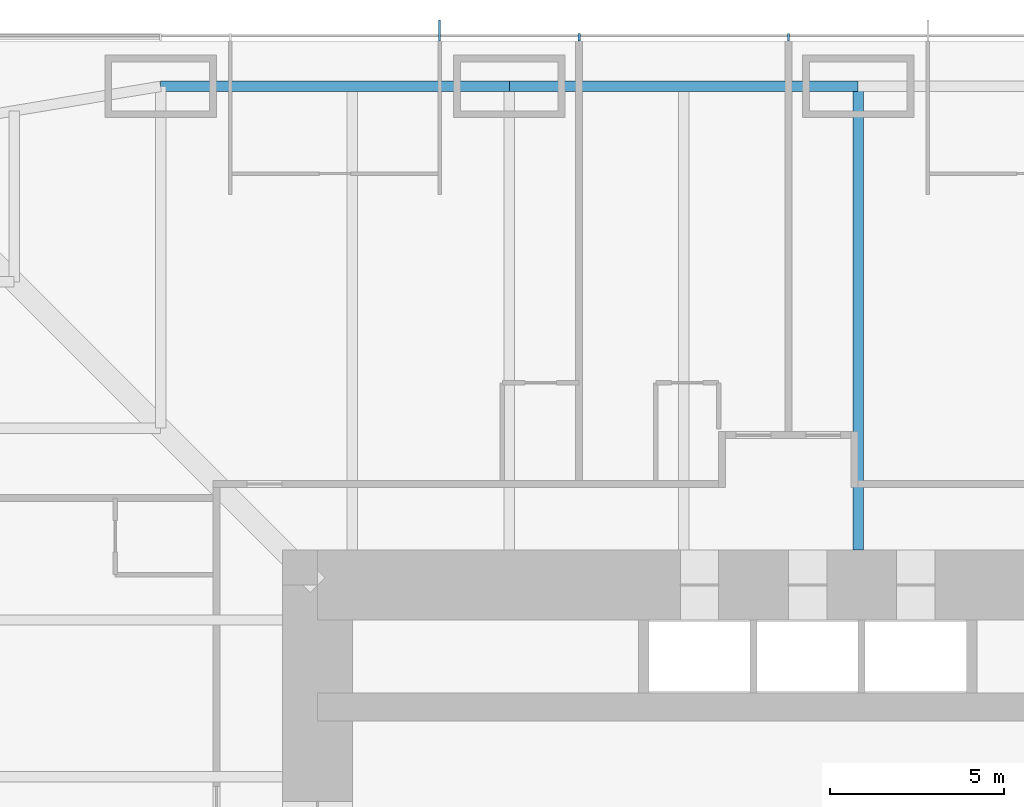
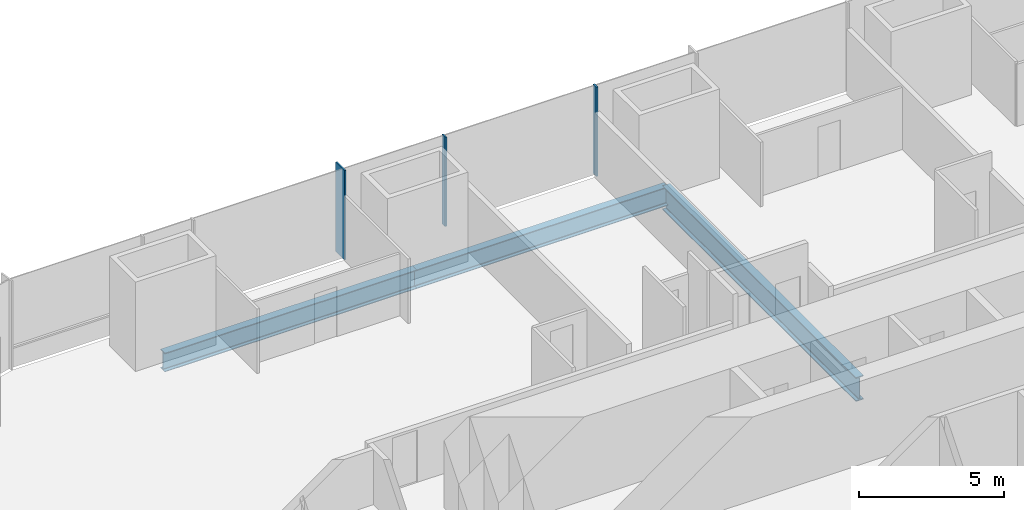
# One storey, part 7 of 16: 3 beams, 3 members, 1 element without a shape of its own.
"""IFC4 building model written with IfcOpenShell, lengths in metres."""

from ifc_helpers import new_model, si_unit, direction, frame, origin, origin_2d, place, context, subcontext, project, spatial, rectangle, i_section, extrude, material, material_profile, profile_set, type_object, element, aggregate, save


model = new_model("IFC4")

# Units and contexts
model_context = context("Model", 3, precision=1e-05, world=origin(), true_north=direction((0.0, 1.0)))
body_context = subcontext(model_context, "Body", "Model", "MODEL_VIEW")
ifc_project = project(units=[si_unit("LENGTHUNIT", "METRE"), si_unit("AREAUNIT", "SQUARE_METRE"), si_unit("VOLUMEUNIT", "CUBIC_METRE"), si_unit("PLANEANGLEUNIT", "RADIAN"), si_unit("MASSUNIT", "GRAM", prefix="KILO")], contexts=[model_context])

# Site, building, storey
site_placement = place(None, origin())
site = spatial("IfcSite", under=ifc_project, at=site_placement, CompositionType="ELEMENT")
building_placement = place(site_placement, origin())
building = spatial("IfcBuilding", under=site, at=building_placement, Name="Khuree Lantern Residences", CompositionType="ELEMENT")
storey_placement = place(building_placement, frame((0.0, 0.0, 69.75)))
storey = spatial("IfcBuildingStorey", under=building, at=storey_placement, Name="L17", CompositionType="ELEMENT", Elevation=69.75)

# Beams
ifc_material_1 = material(Name="Steel S355", Category="steel")
ifc_material_profile_1 = material_profile(ifc_material_1, i_section(OverallWidth=0.300048828125, OverallDepth=0.7900390625, WebThickness=0.014892578125, FlangeThickness=0.028076171875, FilletRadius=0.030029296875, at=origin_2d()), Name="HE 800 A")
ifc_profile_set_1 = profile_set([ifc_material_profile_1], Name="Steel S355")
beam_type_1 = type_object("IfcBeamType", Name="E-14 SPANDREL BEAM HE 800 A", PredefinedType="SPANDREL", material=ifc_profile_set_1)
for number, where, z_axis, x_axis, name in (
    (1, (-20.0, 29.800048828125, -0.64501953125), (1.0, 0.0, 0.0), (0.0, 1.0, 0.0), "Spandrel beam N1"),
    (2, (-10.0, 29.800048828125, -0.64501953125), (1.0, 0.0, 0.0), (0.0, 1.0, 0.0), "Spandrel beam N2"),
):
    element("IfcBeam", number, at=place(storey_placement, frame(where, z_axis=z_axis, x_axis=x_axis)), inside=storey, type_object=beam_type_1, Name=name, PredefinedType="SPANDREL", context=body_context, shape_type="SweptSolid", body=[
        extrude(i_section(OverallWidth=0.300048828125, OverallDepth=0.7900390625, WebThickness=0.014892578125, FlangeThickness=0.028076171875, FilletRadius=0.030029296875, at=origin_2d()), origin(), (0.0, 0.0, 1.0), 10.0),
    ])

# Curtain wall, member
ifc_material_2 = material(Name="Bronze anodised aluminium", Category="aluminium")
curtain_wall_type = type_object("IfcCurtainWallType", Name="CW-T1 TOWER FACE CURTAIN WALL", PredefinedType="USERDEFINED", material=ifc_material_2)
curtain_wall_placement = place(storey_placement, origin())
curtain_wall = element("IfcCurtainWall", 3, at=curtain_wall_placement, inside=storey, type_object=curtain_wall_type, Name="L17 NORTH FACE CURTAIN WALL", ObjectType="Stick-built curtain wall", PredefinedType="USERDEFINED")
ifc_material_profile_2 = material_profile(ifc_material_2, rectangle(XDim=0.06494140625, YDim=0.60009765625, at=origin_2d()), Name="F1 65X600")
ifc_profile_set_2 = profile_set([ifc_material_profile_2], Name="Bronze anodised aluminium")
member_type_1 = type_object("IfcMemberType", Name="F1 BRONZE FIN MULLION TOWER 65X600", PredefinedType="MULLION", material=ifc_profile_set_2)
member_1_placement = place(storey_placement, frame((-12.0, 31.39990234375, 0.0), z_axis=(0.0, 0.0, 1.0), x_axis=(-1.0, 0.0, 0.0)))
member_1 = element("IfcMember", 4, at=member_1_placement, type_object=member_type_1, Name="L17 NORTH FACE FIN MULLION 26", PredefinedType="MULLION", context=body_context, shape_type="SweptSolid", body=[
    extrude(rectangle(XDim=0.06494140625, YDim=0.60009765625, at=origin_2d()), origin(), (0.0, 0.0, 1.0), 3.75),
])

# Beam
ifc_material_profile_3 = material_profile(ifc_material_1, i_section(OverallWidth=0.302001953125, OverallDepth=1.008056640625, WebThickness=0.02099609375, FlangeThickness=0.0400390625, FilletRadius=0.030029296875, at=origin_2d()), Name="HE 1000 M")
ifc_profile_set_3 = profile_set([ifc_material_profile_3], Name="Steel S355")
beam_type_2 = type_object("IfcBeamType", Name="G-14 GIRDER HE 1000 M", PredefinedType="BEAM", material=ifc_profile_set_3)
beam_placement = place(storey_placement, frame((0.0, 29.800048828125, -0.75390625), z_axis=(0.0, -1.0, 0.0), x_axis=(1.0, 0.0, 0.0)))
element("IfcBeam", 5, at=beam_placement, inside=storey, type_object=beam_type_2, Name="Girder N3", PredefinedType="BEAM", context=body_context, shape_type="SweptSolid", body=[
    extrude(i_section(OverallWidth=0.302001953125, OverallDepth=1.008056640625, WebThickness=0.02099609375, FlangeThickness=0.0400390625, FilletRadius=0.030029296875, at=origin_2d()), origin(), (0.0, 0.0, 1.0), 13.300048828125),
])

# Member
ifc_material_profile_4 = material_profile(ifc_material_2, rectangle(XDim=0.06494140625, YDim=0.219970703125, at=origin_2d()), Name="M1 65X220")
ifc_profile_set_4 = profile_set([ifc_material_profile_4], Name="Bronze anodised aluminium")
member_type_2 = type_object("IfcMemberType", Name="M1 BRONZE MULLION TOWER 65X220", PredefinedType="MULLION", material=ifc_profile_set_4)
member_2_placement = place(storey_placement, frame((-2.0, 31.2099609375, 0.0), z_axis=(0.0, 0.0, 1.0), x_axis=(-1.0, 0.0, 0.0)))
member_2 = element("IfcMember", 6, at=member_2_placement, type_object=member_type_2, Name="L17 NORTH FACE MULLION 24", PredefinedType="MULLION", context=body_context, shape_type="SweptSolid", body=[
    extrude(rectangle(XDim=0.06494140625, YDim=0.219970703125, at=origin_2d()), origin(), (0.0, 0.0, 1.0), 3.75),
])

member_3_placement = place(storey_placement, frame((-8.0, 31.2099609375, 0.0), z_axis=(0.0, 0.0, 1.0), x_axis=(-1.0, 0.0, 0.0)))
member_3 = element("IfcMember", 7, at=member_3_placement, type_object=member_type_2, Name="L17 NORTH FACE MULLION 25", PredefinedType="MULLION", context=body_context, shape_type="SweptSolid", body=[
    extrude(rectangle(XDim=0.06494140625, YDim=0.219970703125, at=origin_2d()), origin(), (0.0, 0.0, 1.0), 3.75),
])

aggregate(curtain_wall, [member_2, member_3, member_1])

save(model, "model.ifc")
